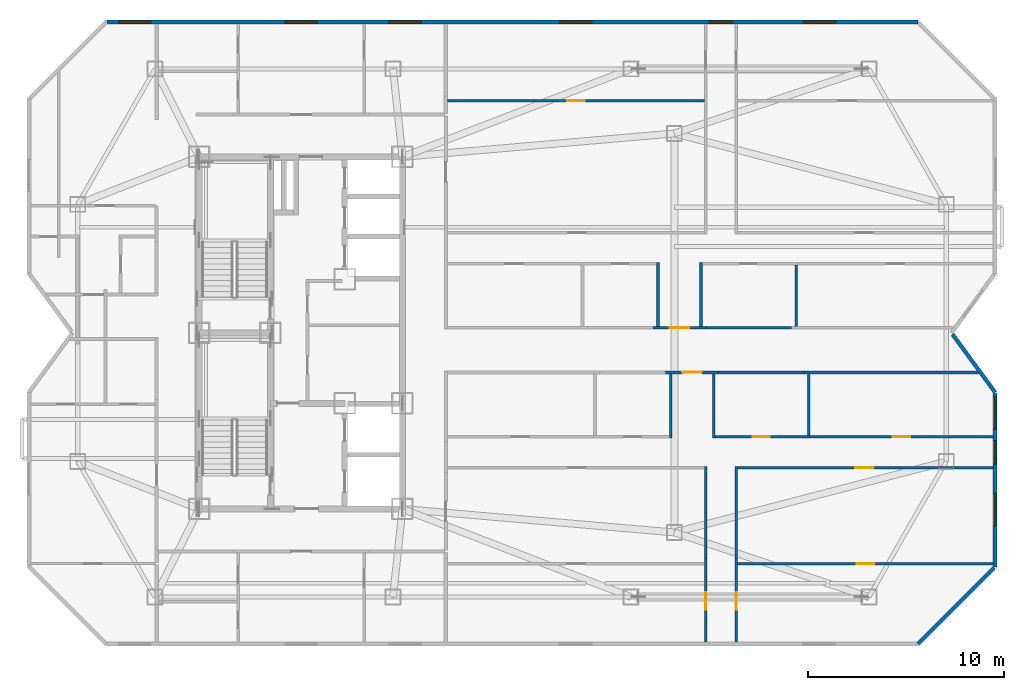
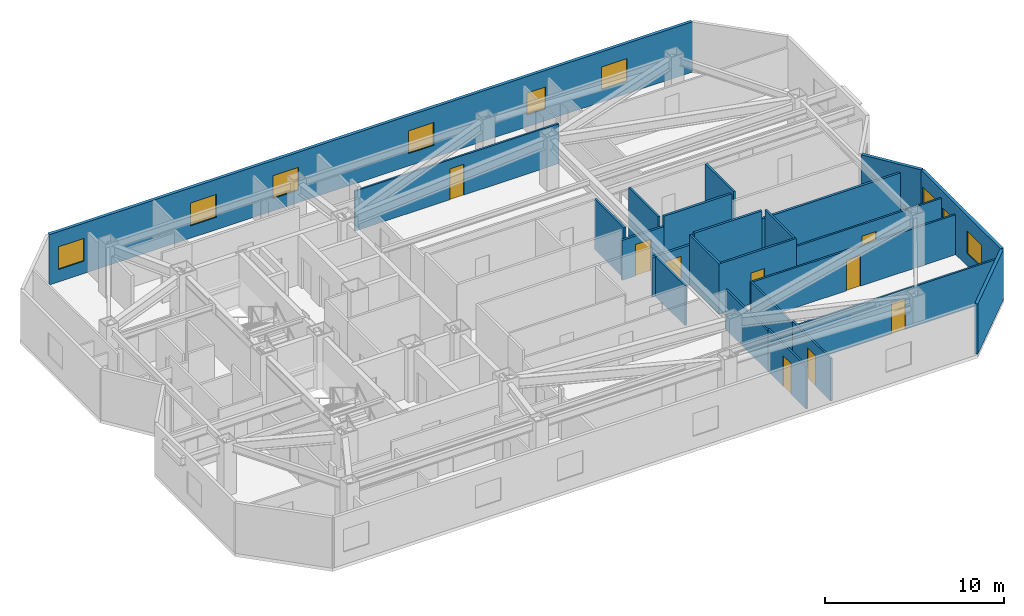
# One storey, part 7 of 9: 24 walls, 9 doors, 9 windows, 18 openings.
"""IFC4 building model written with IfcOpenShell, lengths in metres."""

from ifc_helpers import new_model, si_unit, direction, frame, frame_2d, origin, place, context, subcontext, project, spatial, rectangle, extrude, material, layer, layer_set, type_object, element, fill, save


model = new_model("IFC4")

# Units and contexts
model_context = context("Model", 3, precision=1e-05, world=origin(), true_north=direction((0.0, 1.0)))
body_context = subcontext(model_context, "Body", "Model", "MODEL_VIEW")
ifc_project = project(units=[si_unit("LENGTHUNIT", "METRE"), si_unit("AREAUNIT", "SQUARE_METRE"), si_unit("VOLUMEUNIT", "CUBIC_METRE"), si_unit("PLANEANGLEUNIT", "RADIAN"), si_unit("MASSUNIT", "GRAM", prefix="KILO")], contexts=[model_context])

# Site, building, storey
site_placement = place(None, origin())
site = spatial("IfcSite", under=ifc_project, at=site_placement, CompositionType="ELEMENT")
building_placement = place(site_placement, origin())
building = spatial("IfcBuilding", under=site, at=building_placement, Name="Khamvora Tower", CompositionType="ELEMENT")
storey_placement = place(building_placement, frame((0.0, 0.0, 224.5)))
storey = spatial("IfcBuildingStorey", under=building, at=storey_placement, Name="L57", CompositionType="ELEMENT", Elevation=224.5)

# Wall
ifc_material_1 = material(Name="Fire-Rated Drywall and Steel Stud", Category="steel")
ifc_layer_1 = layer(ifc_material_1, 0.14990234375)
ifc_layer_set_1 = layer_set([ifc_layer_1], Name="Fire-Rated Drywall and Steel Stud")
wall_type_1 = type_object("IfcWallType", Name="WAL-CORR-150", PredefinedType="STANDARD", material=ifc_layer_set_1)
wall_1_placement = place(storey_placement, frame((68.85009765625, 25.985107421875, 0.0), z_axis=(0.0, 0.0, 1.0), x_axis=(-1.0, 0.0, 0.0)))
element("IfcWall", 1, at=wall_1_placement, inside=storey, type_object=wall_type_1, Name="L57 interior partition wall 020", PredefinedType="STANDARD", context=body_context, shape_type="SweptSolid", body=[
    extrude(rectangle(XDim=8.926025390625, YDim=0.14990234375, at=frame_2d((4.462890625, 0.0))), origin(), (0.0, 0.0, 1.0), 2.886962890625),
])

# Wall, opening, door
wall_2_placement = place(storey_placement, frame((55.556884765625, 25.985107421875, 0.0), z_axis=(0.0, 0.0, 1.0), x_axis=(-1.0, 0.0, 0.0)))
wall_2 = element("IfcWall", 2, at=wall_2_placement, inside=storey, type_object=wall_type_1, Name="L57 interior partition wall 021", PredefinedType="STANDARD", context=body_context, shape_type="SweptSolid", body=[
    extrude(rectangle(XDim=2.697998046875, YDim=0.14990234375, at=frame_2d((1.34912109375, 0.0))), origin(), (0.0, 0.0, 1.0), 2.72509765625),
])
opening_1_placement = place(wall_2_placement, frame((0.84912109375, 0.0, 0.0)))
opening_1 = element("IfcOpeningElement", 3, at=opening_1_placement, cuts=wall_2, Name="Opening D-U1", PredefinedType="OPENING", context=body_context, shape_type="SweptSolid", body=[
    extrude(rectangle(XDim=1.0, YDim=2.14990234375, at=frame_2d((0.5, 1.074951171875))), frame((0.0, 0.0849609375, 0.0), z_axis=(0.0, -1.0, 0.0), x_axis=(1.0, 0.0, 0.0)), (0.0, 0.0, 1.0), 0.169921875),
])
ifc_material_2 = material(Name="Powder-Coated Steel and Hardwood Leaf", Category="steel")
door_type_1 = type_object("IfcDoorType", Name="DOR-UNIT-1000", OperationType="NOTDEFINED", PredefinedType="DOOR", material=ifc_material_2)
door_1_placement = place(opening_1_placement, origin())
door_1 = element("IfcDoor", 4, at=door_1_placement, inside=storey, type_object=door_type_1, Name="L57 interior door COR-57EAH", OperationType="SINGLE_SWING_LEFT", OverallHeight=2.14990234375, OverallWidth=1.0, PredefinedType="DOOR", context=body_context, shape_type="SweptSolid", body=[
    extrude(rectangle(XDim=1.0, YDim=2.14990234375, at=frame_2d((0.5, 1.074951171875))), frame((0.0, 0.02490234375, 0.0), z_axis=(0.0, -1.0, 0.0), x_axis=(1.0, 0.0, 0.0)), (0.0, 0.0, 1.0), 0.050048828125),
])
fill(opening_1, door_1)

# Wall
wall_3_placement = place(storey_placement, frame((59.924072265625, 25.985107421875, 0.0), z_axis=(0.0, 0.0, 1.0), x_axis=(-1.0, 0.0, 0.0)))
element("IfcWall", 5, at=wall_3_placement, inside=storey, type_object=wall_type_1, Name="L57 interior partition wall 024", PredefinedType="STANDARD", context=body_context, shape_type="SweptSolid", body=[
    extrude(rectangle(XDim=4.3671875, YDim=0.14990234375, at=frame_2d((2.18359375, 0.0))), origin(), (0.0, 0.0, 1.0), 3.429931640625),
])

# Wall, opening, door
wall_4_placement = place(storey_placement, frame((52.217041015625, 28.264892578125, 0.0), z_axis=(0.0, 0.0, 1.0), x_axis=(1.0, 0.0, 0.0)))
wall_4 = element("IfcWall", 6, at=wall_4_placement, inside=storey, type_object=wall_type_1, Name="L57 interior partition wall 030", PredefinedType="STANDARD", context=body_context, shape_type="SweptSolid", body=[
    extrude(rectangle(XDim=2.697998046875, YDim=0.14990234375, at=frame_2d((1.34912109375, 0.0))), origin(), (0.0, 0.0, 1.0), 2.72509765625),
])
opening_2_placement = place(wall_4_placement, frame((0.84912109375, 0.0, 0.0)))
opening_2 = element("IfcOpeningElement", 7, at=opening_2_placement, cuts=wall_4, Name="Opening D-U1", PredefinedType="OPENING", context=body_context, shape_type="SweptSolid", body=[
    extrude(rectangle(XDim=1.0, YDim=2.14990234375, at=frame_2d((0.5, 1.074951171875))), frame((0.0, 0.0849609375, 0.0), z_axis=(0.0, -1.0, 0.0), x_axis=(1.0, 0.0, 0.0)), (0.0, 0.0, 1.0), 0.169921875),
])
door_2_placement = place(opening_2_placement, origin())
door_2 = element("IfcDoor", 8, at=door_2_placement, inside=storey, type_object=door_type_1, Name="L57 interior door COR-57EBH", OperationType="SINGLE_SWING_LEFT", OverallHeight=2.14990234375, OverallWidth=1.0, PredefinedType="DOOR", context=body_context, shape_type="SweptSolid", body=[
    extrude(rectangle(XDim=1.0, YDim=2.14990234375, at=frame_2d((0.5, 1.074951171875))), frame((0.0, 0.02490234375, 0.0), z_axis=(0.0, -1.0, 0.0), x_axis=(1.0, 0.0, 0.0)), (0.0, 0.0, 1.0), 0.050048828125),
])
fill(opening_2, door_2)

# Wall
wall_5_placement = place(storey_placement, frame((54.9150390625, 28.264892578125, 0.0), z_axis=(0.0, 0.0, 1.0), x_axis=(1.0, 0.0, 0.0)))
element("IfcWall", 9, at=wall_5_placement, inside=storey, type_object=wall_type_1, Name="L57 interior partition wall 032", PredefinedType="STANDARD", context=body_context, shape_type="SweptSolid", body=[
    extrude(rectangle(XDim=4.366943359375, YDim=0.14990234375, at=frame_2d((2.18359375, 0.0))), origin(), (0.0, 0.0, 1.0), 3.429931640625),
])

# Wall, openings, windows
ifc_material_3 = material(Name="Precast concrete C40/50", Category="concrete")
ifc_layer_2 = layer(ifc_material_3, 0.199951171875)
ifc_layer_set_2 = layer_set([ifc_layer_2], Name="Precast concrete C40/50")
wall_type_2 = type_object("IfcWallType", Name="WAL-EXT-200", PredefinedType="STANDARD", material=ifc_layer_set_2)
wall_6_placement = place(storey_placement, frame((24.302001953125, 43.89990234375, 0.0), z_axis=(0.0, 0.0, 1.0), x_axis=(1.0, 0.0, 0.0)))
wall_6 = element("IfcWall", 10, at=wall_6_placement, inside=storey, type_object=wall_type_2, Name="L57 exterior facade wall 07.1", PredefinedType="STANDARD", context=body_context, shape_type="SweptSolid", body=[
    extrude(rectangle(XDim=41.45703125, YDim=0.199951171875, at=frame_2d((20.728515625, 0.0))), origin(), (0.0, 0.0, 1.0), 3.429931640625),
])
opening_3_placement = place(wall_6_placement, frame((0.583984375, 0.0, 0.85009765625)))
opening_3 = element("IfcOpeningElement", 11, at=opening_3_placement, cuts=wall_6, Name="Opening WN-06", PredefinedType="OPENING", context=body_context, shape_type="SweptSolid", body=[
    extrude(rectangle(XDim=1.64990234375, YDim=1.550048828125, at=frame_2d((0.824951171875, 0.77490234375))), frame((0.0, 0.10986328125, 0.0), z_axis=(0.0, -1.0, 0.0), x_axis=(1.0, 0.0, 0.0)), (0.0, 0.0, 1.0), 0.219970703125),
])
opening_4_placement = place(wall_6_placement, frame((9.097900390625, 0.0, 0.85009765625)))
opening_4 = element("IfcOpeningElement", 12, at=opening_4_placement, cuts=wall_6, Name="Opening WN-06", PredefinedType="OPENING", context=body_context, shape_type="SweptSolid", body=[
    extrude(rectangle(XDim=1.64990234375, YDim=1.550048828125, at=frame_2d((0.824951171875, 0.77490234375))), frame((0.0, 0.10986328125, 0.0), z_axis=(0.0, -1.0, 0.0), x_axis=(1.0, 0.0, 0.0)), (0.0, 0.0, 1.0), 0.219970703125),
])
opening_5_placement = place(wall_6_placement, frame((14.405029296875, 0.0, 0.85009765625)))
opening_5 = element("IfcOpeningElement", 13, at=opening_5_placement, cuts=wall_6, Name="Opening WN-06", PredefinedType="OPENING", context=body_context, shape_type="SweptSolid", body=[
    extrude(rectangle(XDim=1.64990234375, YDim=1.550048828125, at=frame_2d((0.824951171875, 0.77490234375))), frame((0.0, 0.10986328125, 0.0), z_axis=(0.0, -1.0, 0.0), x_axis=(1.0, 0.0, 0.0)), (0.0, 0.0, 1.0), 0.219970703125),
])
opening_6_placement = place(wall_6_placement, frame((30.782958984375, 0.0, 0.800048828125)))
opening_6 = element("IfcOpeningElement", 14, at=opening_6_placement, cuts=wall_6, Name="Opening WN-03", PredefinedType="OPENING", context=body_context, shape_type="SweptSolid", body=[
    extrude(rectangle(XDim=1.199951171875, YDim=1.5, at=frame_2d((0.60009765625, 0.75))), frame((0.0, 0.10986328125, 0.0), z_axis=(0.0, -1.0, 0.0), x_axis=(1.0, 0.0, 0.0)), (0.0, 0.0, 1.0), 0.219970703125),
])
opening_7_placement = place(wall_6_placement, frame((23.131103515625, 0.0, 0.85009765625)))
opening_7 = element("IfcOpeningElement", 15, at=opening_7_placement, cuts=wall_6, Name="Opening WN-06", PredefinedType="OPENING", context=body_context, shape_type="SweptSolid", body=[
    extrude(rectangle(XDim=1.64990234375, YDim=1.550048828125, at=frame_2d((0.824951171875, 0.77490234375))), frame((0.0, 0.10986328125, 0.0), z_axis=(0.0, -1.0, 0.0), x_axis=(1.0, 0.0, 0.0)), (0.0, 0.0, 1.0), 0.219970703125),
])
opening_8_placement = place(wall_6_placement, frame((35.594970703125, 0.0, 0.85009765625)))
opening_8 = element("IfcOpeningElement", 16, at=opening_8_placement, cuts=wall_6, Name="Opening WN-06", PredefinedType="OPENING", context=body_context, shape_type="SweptSolid", body=[
    extrude(rectangle(XDim=1.64990234375, YDim=1.550048828125, at=frame_2d((0.824951171875, 0.77490234375))), frame((0.0, 0.10986328125, 0.0), z_axis=(0.0, -1.0, 0.0), x_axis=(1.0, 0.0, 0.0)), (0.0, 0.0, 1.0), 0.219970703125),
])
ifc_material_4 = material(Name="Low-E Laminated Double Glazing", Category="glass")
window_type_1 = type_object("IfcWindowType", Name="WIN-VIS-1200x1500", PartitioningType="SINGLE_PANEL", PredefinedType="WINDOW", material=ifc_material_4)
window_1_placement = place(opening_6_placement, origin())
window_1 = element("IfcWindow", 17, at=window_1_placement, inside=storey, type_object=window_type_1, Name="L57 vision window 07.1.04", OverallHeight=1.5, OverallWidth=1.199951171875, PartitioningType="SINGLE_PANEL", PredefinedType="WINDOW", context=body_context, shape_type="SweptSolid", body=[
    extrude(rectangle(XDim=1.199951171875, YDim=1.5, at=frame_2d((0.60009765625, 0.75))), frame((0.0, 0.030029296875, 0.0), z_axis=(0.0, -1.0, 0.0), x_axis=(1.0, 0.0, 0.0)), (0.0, 0.0, 1.0), 0.06005859375),
])
fill(opening_6, window_1)
window_type_2 = type_object("IfcWindowType", Name="WIN-VIS-1650x1550", PartitioningType="SINGLE_PANEL", PredefinedType="WINDOW", material=ifc_material_4)
window_2_placement = place(opening_3_placement, origin())
window_2 = element("IfcWindow", 18, at=window_2_placement, inside=storey, type_object=window_type_2, Name="L57 vision window 07.1.01", OverallHeight=1.550048828125, OverallWidth=1.64990234375, PartitioningType="SINGLE_PANEL", PredefinedType="WINDOW", context=body_context, shape_type="SweptSolid", body=[
    extrude(rectangle(XDim=1.64990234375, YDim=1.550048828125, at=frame_2d((0.824951171875, 0.77490234375))), frame((0.0, 0.030029296875, 0.0), z_axis=(0.0, -1.0, 0.0), x_axis=(1.0, 0.0, 0.0)), (0.0, 0.0, 1.0), 0.06005859375),
])
fill(opening_3, window_2)
window_3_placement = place(opening_4_placement, origin())
window_3 = element("IfcWindow", 19, at=window_3_placement, inside=storey, type_object=window_type_2, Name="L57 vision window 07.1.02", OverallHeight=1.550048828125, OverallWidth=1.64990234375, PartitioningType="SINGLE_PANEL", PredefinedType="WINDOW", context=body_context, shape_type="SweptSolid", body=[
    extrude(rectangle(XDim=1.64990234375, YDim=1.550048828125, at=frame_2d((0.824951171875, 0.77490234375))), frame((0.0, 0.030029296875, 0.0), z_axis=(0.0, -1.0, 0.0), x_axis=(1.0, 0.0, 0.0)), (0.0, 0.0, 1.0), 0.06005859375),
])
fill(opening_4, window_3)
window_4_placement = place(opening_5_placement, origin())
window_4 = element("IfcWindow", 20, at=window_4_placement, inside=storey, type_object=window_type_2, Name="L57 vision window 07.1.03", OverallHeight=1.550048828125, OverallWidth=1.64990234375, PartitioningType="SINGLE_PANEL", PredefinedType="WINDOW", context=body_context, shape_type="SweptSolid", body=[
    extrude(rectangle(XDim=1.64990234375, YDim=1.550048828125, at=frame_2d((0.824951171875, 0.77490234375))), frame((0.0, 0.030029296875, 0.0), z_axis=(0.0, -1.0, 0.0), x_axis=(1.0, 0.0, 0.0)), (0.0, 0.0, 1.0), 0.06005859375),
])
fill(opening_5, window_4)
window_5_placement = place(opening_7_placement, origin())
window_5 = element("IfcWindow", 21, at=window_5_placement, inside=storey, type_object=window_type_2, Name="L57 vision window 07.1.05", OverallHeight=1.550048828125, OverallWidth=1.64990234375, PartitioningType="SINGLE_PANEL", PredefinedType="WINDOW", context=body_context, shape_type="SweptSolid", body=[
    extrude(rectangle(XDim=1.64990234375, YDim=1.550048828125, at=frame_2d((0.824951171875, 0.77490234375))), frame((0.0, 0.030029296875, 0.0), z_axis=(0.0, -1.0, 0.0), x_axis=(1.0, 0.0, 0.0)), (0.0, 0.0, 1.0), 0.06005859375),
])
fill(opening_7, window_5)
window_6_placement = place(opening_8_placement, origin())
window_6 = element("IfcWindow", 22, at=window_6_placement, inside=storey, type_object=window_type_2, Name="L57 vision window 07.1.06", OverallHeight=1.550048828125, OverallWidth=1.64990234375, PartitioningType="SINGLE_PANEL", PredefinedType="WINDOW", context=body_context, shape_type="SweptSolid", body=[
    extrude(rectangle(XDim=1.64990234375, YDim=1.550048828125, at=frame_2d((0.824951171875, 0.77490234375))), frame((0.0, 0.030029296875, 0.0), z_axis=(0.0, -1.0, 0.0), x_axis=(1.0, 0.0, 0.0)), (0.0, 0.0, 1.0), 0.06005859375),
])
fill(opening_8, window_6)

# Wall
wall_7_placement = place(storey_placement, frame((67.527099609375, 27.930908203125, 0.0), z_axis=(0.0, 0.0, 1.0), x_axis=(0.591248456881, -0.80648946815, 0.0)))
element("IfcWall", 23, at=wall_7_placement, inside=storey, type_object=wall_type_2, Name="L57 exterior facade wall 11.1", PredefinedType="STANDARD", context=body_context, shape_type="SweptSolid", body=[
    extrude(rectangle(XDim=3.675048828125, YDim=0.199951171875, at=frame_2d((1.83740234375, 0.0))), origin(), (0.0, 0.0, 1.0), 3.429931640625),
])

# Wall, openings, windows
wall_8_placement = place(storey_placement, frame((69.699951171875, 24.916015625, 0.0), z_axis=(0.0, 0.0, 1.0), x_axis=(0.0, -1.0, 0.0)))
wall_8 = element("IfcWall", 24, at=wall_8_placement, inside=storey, type_object=wall_type_2, Name="L57 exterior facade wall 12.1", PredefinedType="STANDARD", context=body_context, shape_type="SweptSolid", body=[
    extrude(rectangle(XDim=8.875, YDim=0.199951171875, at=frame_2d((4.4375, 0.0))), origin(), (0.0, 0.0, 1.0), 3.429931640625),
])
opening_9_placement = place(wall_8_placement, frame((0.180908203125, 0.0, 0.85009765625)))
opening_9 = element("IfcOpeningElement", 25, at=opening_9_placement, cuts=wall_8, Name="Opening WN-06", PredefinedType="OPENING", context=body_context, shape_type="SweptSolid", body=[
    extrude(rectangle(XDim=1.64990234375, YDim=1.550048828125, at=frame_2d((0.824951171875, 0.77490234375))), frame((0.0, 0.10986328125, 0.0), z_axis=(0.0, -1.0, 0.0), x_axis=(1.0, 0.0, 0.0)), (0.0, 0.0, 1.0), 0.219970703125),
])
opening_10_placement = place(wall_8_placement, frame((2.4169921875, 0.0, 0.800048828125)))
opening_10 = element("IfcOpeningElement", 26, at=opening_10_placement, cuts=wall_8, Name="Opening WN-03", PredefinedType="OPENING", context=body_context, shape_type="SweptSolid", body=[
    extrude(rectangle(XDim=1.199951171875, YDim=1.5, at=frame_2d((0.60009765625, 0.75))), frame((0.0, 0.10986328125, 0.0), z_axis=(0.0, -1.0, 0.0), x_axis=(1.0, 0.0, 0.0)), (0.0, 0.0, 1.0), 0.219970703125),
])
opening_11_placement = place(wall_8_placement, frame((5.1240234375, 0.0, 0.85009765625)))
opening_11 = element("IfcOpeningElement", 27, at=opening_11_placement, cuts=wall_8, Name="Opening WN-06", PredefinedType="OPENING", context=body_context, shape_type="SweptSolid", body=[
    extrude(rectangle(XDim=1.64990234375, YDim=1.550048828125, at=frame_2d((0.824951171875, 0.77490234375))), frame((0.0, 0.10986328125, 0.0), z_axis=(0.0, -1.0, 0.0), x_axis=(1.0, 0.0, 0.0)), (0.0, 0.0, 1.0), 0.219970703125),
])
window_7_placement = place(opening_10_placement, origin())
window_7 = element("IfcWindow", 28, at=window_7_placement, inside=storey, type_object=window_type_1, Name="L57 vision window 12.1.02", OverallHeight=1.5, OverallWidth=1.199951171875, PartitioningType="SINGLE_PANEL", PredefinedType="WINDOW", context=body_context, shape_type="SweptSolid", body=[
    extrude(rectangle(XDim=1.199951171875, YDim=1.5, at=frame_2d((0.60009765625, 0.75))), frame((0.0, 0.030029296875, 0.0), z_axis=(0.0, -1.0, 0.0), x_axis=(1.0, 0.0, 0.0)), (0.0, 0.0, 1.0), 0.06005859375),
])
fill(opening_10, window_7)
window_8_placement = place(opening_9_placement, origin())
window_8 = element("IfcWindow", 29, at=window_8_placement, inside=storey, type_object=window_type_2, Name="L57 vision window 12.1.01", OverallHeight=1.550048828125, OverallWidth=1.64990234375, PartitioningType="SINGLE_PANEL", PredefinedType="WINDOW", context=body_context, shape_type="SweptSolid", body=[
    extrude(rectangle(XDim=1.64990234375, YDim=1.550048828125, at=frame_2d((0.824951171875, 0.77490234375))), frame((0.0, 0.030029296875, 0.0), z_axis=(0.0, -1.0, 0.0), x_axis=(1.0, 0.0, 0.0)), (0.0, 0.0, 1.0), 0.06005859375),
])
fill(opening_9, window_8)
window_9_placement = place(opening_11_placement, origin())
window_9 = element("IfcWindow", 30, at=window_9_placement, inside=storey, type_object=window_type_2, Name="L57 vision window 12.1.03", OverallHeight=1.550048828125, OverallWidth=1.64990234375, PartitioningType="SINGLE_PANEL", PredefinedType="WINDOW", context=body_context, shape_type="SweptSolid", body=[
    extrude(rectangle(XDim=1.64990234375, YDim=1.550048828125, at=frame_2d((0.824951171875, 0.77490234375))), frame((0.0, 0.030029296875, 0.0), z_axis=(0.0, -1.0, 0.0), x_axis=(1.0, 0.0, 0.0)), (0.0, 0.0, 1.0), 0.06005859375),
])
fill(opening_11, window_9)

# Wall
wall_9_placement = place(storey_placement, frame((69.655029296875, 15.99609375, 0.0), z_axis=(0.0, 0.0, 1.0), x_axis=(-0.707106781187, -0.707106781187, 0.0)))
element("IfcWall", 31, at=wall_9_placement, inside=storey, type_object=wall_type_2, Name="L57 exterior facade wall 13.1", PredefinedType="STANDARD", context=body_context, shape_type="SweptSolid", body=[
    extrude(rectangle(XDim=5.509765625, YDim=0.199951171875, at=frame_2d((2.7548828125, 0.0))), origin(), (0.0, 0.0, 1.0), 3.429931640625),
])

# Wall, opening, door
ifc_material_5 = material(Name="Gypsum Plasterboard Partition", Category="gypsum")
ifc_layer_3 = layer(ifc_material_5, 0.1201171875)
ifc_layer_set_3 = layer_set([ifc_layer_3], Name="Gypsum Plasterboard Partition")
wall_type_3 = type_object("IfcWallType", Name="WAL-PART-120", PredefinedType="PARTITIONING", material=ifc_layer_set_3)
wall_10_placement = place(storey_placement, frame((69.60791015625, 22.68896484375, 0.0), z_axis=(0.0, 0.0, 1.0), x_axis=(-1.0, 0.0, 0.0)))
wall_10 = element("IfcWall", 32, at=wall_10_placement, inside=storey, type_object=wall_type_3, Name="L57 interior partition wall 063", PredefinedType="PARTITIONING", context=body_context, shape_type="SweptSolid", body=[
    extrude(rectangle(XDim=9.369873046875, YDim=0.1201171875, at=frame_2d((4.68505859375, 0.0))), origin(), (0.0, 0.0, 1.0), 2.886962890625),
])
opening_12_placement = place(wall_10_placement, frame((4.235107421875, 0.0, 0.0)))
opening_12 = element("IfcOpeningElement", 33, at=opening_12_placement, cuts=wall_10, Name="Opening D-RM1", PredefinedType="OPENING", context=body_context, shape_type="SweptSolid", body=[
    extrude(rectangle(XDim=0.89990234375, YDim=2.10009765625, at=frame_2d((0.449951171875, 1.050048828125))), frame((0.0, 0.070068359375, 0.0), z_axis=(0.0, -1.0, 0.0), x_axis=(1.0, 0.0, 0.0)), (0.0, 0.0, 1.0), 0.14013671875),
])
door_type_2 = type_object("IfcDoorType", Name="DOR-ROOM-900", OperationType="NOTDEFINED", PredefinedType="DOOR", material=ifc_material_2)
door_3_placement = place(opening_12_placement, origin())
door_3 = element("IfcDoor", 34, at=door_3_placement, inside=storey, type_object=door_type_2, Name="L57 interior door 57EAW2-57EAH", OperationType="SINGLE_SWING_RIGHT", OverallHeight=2.10009765625, OverallWidth=0.89990234375, PredefinedType="DOOR", context=body_context, shape_type="SweptSolid", body=[
    extrude(rectangle(XDim=0.89990234375, YDim=2.10009765625, at=frame_2d((0.449951171875, 1.050048828125))), frame((0.0, 0.02490234375, 0.0), z_axis=(0.0, -1.0, 0.0), x_axis=(1.0, 0.0, 0.0)), (0.0, 0.0, 1.0), 0.050048828125),
])
fill(opening_12, door_3)

wall_11_placement = place(storey_placement, frame((54.89990234375, 12.19189453125, 0.0), z_axis=(0.0, 0.0, 1.0), x_axis=(0.0, 1.0, 0.0)))
wall_11 = element("IfcWall", 35, at=wall_11_placement, inside=storey, type_object=wall_type_3, Name="L57 interior partition wall 069", PredefinedType="PARTITIONING", context=body_context, shape_type="SweptSolid", body=[
    extrude(rectangle(XDim=4.26513671875, YDim=0.1201171875, at=frame_2d((2.132568359375, 0.0))), origin(), (0.0, 0.0, 1.0), 2.886962890625),
])
opening_13_placement = place(wall_11_placement, frame((1.660888671875, 0.0, 0.0)))
opening_13 = element("IfcOpeningElement", 36, at=opening_13_placement, cuts=wall_11, Name="Opening D-RM1", PredefinedType="OPENING", context=body_context, shape_type="SweptSolid", body=[
    extrude(rectangle(XDim=0.89990234375, YDim=2.10009765625, at=frame_2d((0.449951171875, 1.050048828125))), frame((0.0, 0.070068359375, 0.0), z_axis=(0.0, -1.0, 0.0), x_axis=(1.0, 0.0, 0.0)), (0.0, 0.0, 1.0), 0.14013671875),
])
door_4_placement = place(opening_13_placement, origin())
door_4 = element("IfcDoor", 37, at=door_4_placement, inside=storey, type_object=door_type_2, Name="L57 interior door 57EAH-57EAR1", OperationType="SINGLE_SWING_LEFT", OverallHeight=2.10009765625, OverallWidth=0.89990234375, PredefinedType="DOOR", context=body_context, shape_type="SweptSolid", body=[
    extrude(rectangle(XDim=0.89990234375, YDim=2.10009765625, at=frame_2d((0.449951171875, 1.050048828125))), frame((0.0, 0.02490234375, 0.0), z_axis=(0.0, -1.0, 0.0), x_axis=(1.0, 0.0, 0.0)), (0.0, 0.0, 1.0), 0.050048828125),
])
fill(opening_13, door_4)

# Wall
wall_12_placement = place(storey_placement, frame((54.89990234375, 16.45703125, 0.0), z_axis=(0.0, 0.0, 1.0), x_axis=(0.0, 1.0, 0.0)))
element("IfcWall", 38, at=wall_12_placement, inside=storey, type_object=wall_type_3, Name="L57 interior partition wall 070", PredefinedType="PARTITIONING", context=body_context, shape_type="SweptSolid", body=[
    extrude(rectangle(XDim=4.717041015625, YDim=0.1201171875, at=frame_2d((2.3583984375, 0.0))), origin(), (0.0, 0.0, 1.0), 2.72509765625),
])

# Wall, opening, door
wall_13_placement = place(storey_placement, frame((56.469970703125, 16.45703125, 0.0), z_axis=(0.0, 0.0, 1.0), x_axis=(0.0, -1.0, 0.0)))
wall_13 = element("IfcWall", 39, at=wall_13_placement, inside=storey, type_object=wall_type_3, Name="L57 interior partition wall 072", PredefinedType="PARTITIONING", context=body_context, shape_type="SweptSolid", body=[
    extrude(rectangle(XDim=4.26513671875, YDim=0.1201171875, at=frame_2d((2.132568359375, 0.0))), origin(), (0.0, 0.0, 1.0), 2.886962890625),
])
opening_14_placement = place(wall_13_placement, frame((1.702880859375, 0.0, 0.0)))
opening_14 = element("IfcOpeningElement", 40, at=opening_14_placement, cuts=wall_13, Name="Opening D-RM1", PredefinedType="OPENING", context=body_context, shape_type="SweptSolid", body=[
    extrude(rectangle(XDim=0.89990234375, YDim=2.10009765625, at=frame_2d((0.449951171875, 1.050048828125))), frame((0.0, 0.070068359375, 0.0), z_axis=(0.0, -1.0, 0.0), x_axis=(1.0, 0.0, 0.0)), (0.0, 0.0, 1.0), 0.14013671875),
])
door_5_placement = place(opening_14_placement, origin())
door_5 = element("IfcDoor", 41, at=door_5_placement, inside=storey, type_object=door_type_2, Name="L57 interior door 57EAH-57EAR3", OperationType="SINGLE_SWING_LEFT", OverallHeight=2.10009765625, OverallWidth=0.89990234375, PredefinedType="DOOR", context=body_context, shape_type="SweptSolid", body=[
    extrude(rectangle(XDim=0.89990234375, YDim=2.10009765625, at=frame_2d((0.449951171875, 1.050048828125))), frame((0.0, 0.02490234375, 0.0), z_axis=(0.0, -1.0, 0.0), x_axis=(1.0, 0.0, 0.0)), (0.0, 0.0, 1.0), 0.050048828125),
])
fill(opening_14, door_5)

wall_14_placement = place(storey_placement, frame((69.60791015625, 21.10888671875, 0.0), z_axis=(0.0, 0.0, 1.0), x_axis=(-1.0, 0.0, 0.0)))
wall_14 = element("IfcWall", 42, at=wall_14_placement, inside=storey, type_object=wall_type_3, Name="L57 interior partition wall 073", PredefinedType="PARTITIONING", context=body_context, shape_type="SweptSolid", body=[
    extrude(rectangle(XDim=13.202880859375, YDim=0.1201171875, at=frame_2d((6.6015625, 0.0))), origin(), (0.0, 0.0, 1.0), 2.72509765625),
])
opening_15_placement = place(wall_14_placement, frame((6.15087890625, 0.0, 0.0)))
opening_15 = element("IfcOpeningElement", 43, at=opening_15_placement, cuts=wall_14, Name="Opening D-RM1", PredefinedType="OPENING", context=body_context, shape_type="SweptSolid", body=[
    extrude(rectangle(XDim=0.89990234375, YDim=2.10009765625, at=frame_2d((0.449951171875, 1.050048828125))), frame((0.0, 0.070068359375, 0.0), z_axis=(0.0, -1.0, 0.0), x_axis=(1.0, 0.0, 0.0)), (0.0, 0.0, 1.0), 0.14013671875),
])
door_6_placement = place(opening_15_placement, origin())
door_6 = element("IfcDoor", 44, at=door_6_placement, inside=storey, type_object=door_type_2, Name="L57 interior door 57EAH-57EAR4", OperationType="SINGLE_SWING_RIGHT", OverallHeight=2.10009765625, OverallWidth=0.89990234375, PredefinedType="DOOR", context=body_context, shape_type="SweptSolid", body=[
    extrude(rectangle(XDim=0.89990234375, YDim=2.10009765625, at=frame_2d((0.449951171875, 1.050048828125))), frame((0.0, 0.02490234375, 0.0), z_axis=(0.0, -1.0, 0.0), x_axis=(1.0, 0.0, 0.0)), (0.0, 0.0, 1.0), 0.050048828125),
])
fill(opening_15, door_6)

# Wall
wall_15_placement = place(storey_placement, frame((56.469970703125, 21.174072265625, 0.0), z_axis=(0.0, 0.0, 1.0), x_axis=(0.0, -1.0, 0.0)))
element("IfcWall", 45, at=wall_15_placement, inside=storey, type_object=wall_type_3, Name="L57 interior partition wall 074", PredefinedType="PARTITIONING", context=body_context, shape_type="SweptSolid", body=[
    extrude(rectangle(XDim=4.717041015625, YDim=0.1201171875, at=frame_2d((2.3583984375, 0.0))), origin(), (0.0, 0.0, 1.0), 2.72509765625),
])

# Wall, opening, door
wall_16_placement = place(storey_placement, frame((56.52392578125, 16.2080078125, 0.0), z_axis=(0.0, 0.0, 1.0), x_axis=(1.0, 0.0, 0.0)))
wall_16 = element("IfcWall", 46, at=wall_16_placement, inside=storey, type_object=wall_type_3, Name="L57 interior partition wall 076", PredefinedType="PARTITIONING", context=body_context, shape_type="SweptSolid", body=[
    extrude(rectangle(XDim=13.083984375, YDim=0.1201171875, at=frame_2d((6.5419921875, 0.0))), origin(), (0.0, 0.0, 1.0), 2.72509765625),
])
opening_16_placement = place(wall_16_placement, frame((6.092041015625, 0.0, 0.0)))
opening_16 = element("IfcOpeningElement", 47, at=opening_16_placement, cuts=wall_16, Name="Opening D-RM1", PredefinedType="OPENING", context=body_context, shape_type="SweptSolid", body=[
    extrude(rectangle(XDim=0.89990234375, YDim=2.10009765625, at=frame_2d((0.449951171875, 1.050048828125))), frame((0.0, 0.070068359375, 0.0), z_axis=(0.0, -1.0, 0.0), x_axis=(1.0, 0.0, 0.0)), (0.0, 0.0, 1.0), 0.14013671875),
])
door_7_placement = place(opening_16_placement, origin())
door_7 = element("IfcDoor", 48, at=door_7_placement, inside=storey, type_object=door_type_2, Name="L57 interior door 57EAR3-57EAR4", OperationType="SINGLE_SWING_RIGHT", OverallHeight=2.10009765625, OverallWidth=0.89990234375, PredefinedType="DOOR", context=body_context, shape_type="SweptSolid", body=[
    extrude(rectangle(XDim=0.89990234375, YDim=2.10009765625, at=frame_2d((0.449951171875, 1.050048828125))), frame((0.0, 0.02490234375, 0.0), z_axis=(0.0, -1.0, 0.0), x_axis=(1.0, 0.0, 0.0)), (0.0, 0.0, 1.0), 0.050048828125),
])
fill(opening_16, door_7)

wall_17_placement = place(storey_placement, frame((41.697021484375, 39.864013671875, 0.0), z_axis=(0.0, 0.0, 1.0), x_axis=(1.0, 0.0, 0.0)))
wall_17 = element("IfcWall", 49, at=wall_17_placement, inside=storey, type_object=wall_type_3, Name="L57 interior partition wall 091", PredefinedType="PARTITIONING", context=body_context, shape_type="SweptSolid", body=[
    extrude(rectangle(XDim=13.14892578125, YDim=0.1201171875, at=frame_2d((6.574462890625, 0.0))), origin(), (0.0, 0.0, 1.0), 2.72509765625),
])
opening_17_placement = place(wall_17_placement, frame((6.1240234375, 0.0, 0.0)))
opening_17 = element("IfcOpeningElement", 50, at=opening_17_placement, cuts=wall_17, Name="Opening D-RM1", PredefinedType="OPENING", context=body_context, shape_type="SweptSolid", body=[
    extrude(rectangle(XDim=0.89990234375, YDim=2.10009765625, at=frame_2d((0.449951171875, 1.050048828125))), frame((0.0, 0.070068359375, 0.0), z_axis=(0.0, -1.0, 0.0), x_axis=(1.0, 0.0, 0.0)), (0.0, 0.0, 1.0), 0.14013671875),
])
door_8_placement = place(opening_17_placement, origin())
door_8 = element("IfcDoor", 51, at=door_8_placement, inside=storey, type_object=door_type_2, Name="L57 interior door 57EBR1-57EBR2", OperationType="SINGLE_SWING_LEFT", OverallHeight=2.10009765625, OverallWidth=0.89990234375, PredefinedType="DOOR", context=body_context, shape_type="SweptSolid", body=[
    extrude(rectangle(XDim=0.89990234375, YDim=2.10009765625, at=frame_2d((0.449951171875, 1.050048828125))), frame((0.0, 0.02490234375, 0.0), z_axis=(0.0, -1.0, 0.0), x_axis=(1.0, 0.0, 0.0)), (0.0, 0.0, 1.0), 0.050048828125),
])
fill(opening_17, door_8)

# Walls
ifc_material_6 = material(Name="Moisture-Resistant Plasterboard Partition", Category="gypsum")
ifc_layer_4 = layer(ifc_material_6, 0.135009765625)
ifc_layer_set_4 = layer_set([ifc_layer_4], Name="Moisture-Resistant Plasterboard Partition")
wall_type_4 = type_object("IfcWallType", Name="WAL-WET-135", PredefinedType="PARTITIONING", material=ifc_layer_set_4)
wall_18_placement = place(storey_placement, frame((60.173095703125, 22.75390625, 0.0), z_axis=(0.0, 0.0, 1.0), x_axis=(0.0, 1.0, 0.0)))
element("IfcWall", 52, at=wall_18_placement, inside=storey, type_object=wall_type_4, Name="L57 interior partition wall 064", PredefinedType="PARTITIONING", context=body_context, shape_type="SweptSolid", body=[
    extrude(rectangle(XDim=3.1640625, YDim=0.135009765625, at=frame_2d((1.58203125, 0.0))), origin(), (0.0, 0.0, 1.0), 3.429931640625),
])
wall_19_placement = place(storey_placement, frame((53.10791015625, 22.6240234375, 0.0), z_axis=(0.0, 0.0, 1.0), x_axis=(0.0, 1.0, 0.0)))
element("IfcWall", 53, at=wall_19_placement, inside=storey, type_object=wall_type_4, Name="L57 interior partition wall 066", PredefinedType="PARTITIONING", context=body_context, shape_type="SweptSolid", body=[
    extrude(rectangle(XDim=3.2939453125, YDim=0.135009765625, at=frame_2d((1.64697265625, 0.0))), origin(), (0.0, 0.0, 1.0), 2.72509765625),
])
wall_20_placement = place(storey_placement, frame((55.30810546875, 25.91796875, 0.0), z_axis=(0.0, 0.0, 1.0), x_axis=(0.0, -1.0, 0.0)))
element("IfcWall", 54, at=wall_20_placement, inside=storey, type_object=wall_type_4, Name="L57 interior partition wall 067", PredefinedType="PARTITIONING", context=body_context, shape_type="SweptSolid", body=[
    extrude(rectangle(XDim=3.2939453125, YDim=0.135009765625, at=frame_2d((1.64697265625, 0.0))), origin(), (0.0, 0.0, 1.0), 3.429931640625),
])

# Wall, opening, door
wall_21_placement = place(storey_placement, frame((55.242919921875, 22.68896484375, 0.0), z_axis=(0.0, 0.0, 1.0), x_axis=(1.0, 0.0, 0.0)))
wall_21 = element("IfcWall", 55, at=wall_21_placement, inside=storey, type_object=wall_type_4, Name="L57 interior partition wall 068", PredefinedType="PARTITIONING", context=body_context, shape_type="SweptSolid", body=[
    extrude(rectangle(XDim=4.9951171875, YDim=0.135009765625, at=frame_2d((2.49755859375, 0.0))), origin(), (0.0, 0.0, 1.0), 3.429931640625),
])
opening_18_placement = place(wall_21_placement, frame((2.072998046875, 0.0, 0.0)))
opening_18 = element("IfcOpeningElement", 56, at=opening_18_placement, cuts=wall_21, Name="Opening D-RM2", PredefinedType="OPENING", context=body_context, shape_type="SweptSolid", body=[
    extrude(rectangle(XDim=0.85009765625, YDim=2.10009765625, at=frame_2d((0.425048828125, 1.050048828125))), frame((0.0, 0.077392578125, 0.0), z_axis=(0.0, -1.0, 0.0), x_axis=(1.0, 0.0, 0.0)), (0.0, 0.0, 1.0), 0.155029296875),
])
door_type_3 = type_object("IfcDoorType", Name="DOR-ROOM-850", OperationType="NOTDEFINED", PredefinedType="DOOR", material=ifc_material_2)
door_9_placement = place(opening_18_placement, origin())
door_9 = element("IfcDoor", 57, at=door_9_placement, inside=storey, type_object=door_type_3, Name="L57 interior door 57EAH-57EAK", OperationType="SINGLE_SWING_RIGHT", OverallHeight=2.10009765625, OverallWidth=0.85009765625, PredefinedType="DOOR", context=body_context, shape_type="SweptSolid", body=[
    extrude(rectangle(XDim=0.85009765625, YDim=2.10009765625, at=frame_2d((0.425048828125, 1.050048828125))), frame((0.0, 0.02490234375, 0.0), z_axis=(0.0, -1.0, 0.0), x_axis=(1.0, 0.0, 0.0)), (0.0, 0.0, 1.0), 0.050048828125),
])
fill(opening_18, door_9)

# Walls
wall_22_placement = place(storey_placement, frame((59.531005859375, 28.33203125, 0.0), z_axis=(0.0, 0.0, 1.0), x_axis=(0.0, 1.0, 0.0)))
element("IfcWall", 58, at=wall_22_placement, inside=storey, type_object=wall_type_4, Name="L57 interior partition wall 080", PredefinedType="PARTITIONING", context=body_context, shape_type="SweptSolid", body=[
    extrude(rectangle(XDim=3.138916015625, YDim=0.135009765625, at=frame_2d((1.5693359375, 0.0))), origin(), (0.0, 0.0, 1.0), 3.429931640625),
])
for number, where, z_axis, x_axis, name in (
    (59, (52.466064453125, 28.33203125, 0.0), (0.0, 0.0, 1.0), (0.0, 1.0, 0.0), "L57 interior partition wall 081"),
    (60, (54.666015625, 31.60107421875, 0.0), (0.0, 0.0, 1.0), (0.0, -1.0, 0.0), "L57 interior partition wall 084"),
):
    element("IfcWall", number, at=place(storey_placement, frame(where, z_axis=z_axis, x_axis=x_axis)), inside=storey, type_object=wall_type_4, Name=name, PredefinedType="PARTITIONING", context=body_context, shape_type="SweptSolid", body=[
        extrude(rectangle(XDim=3.26904296875, YDim=0.135009765625, at=frame_2d((1.634521484375, 0.0))), origin(), (0.0, 0.0, 1.0), 3.429931640625),
    ])

save(model, "model.ifc")
